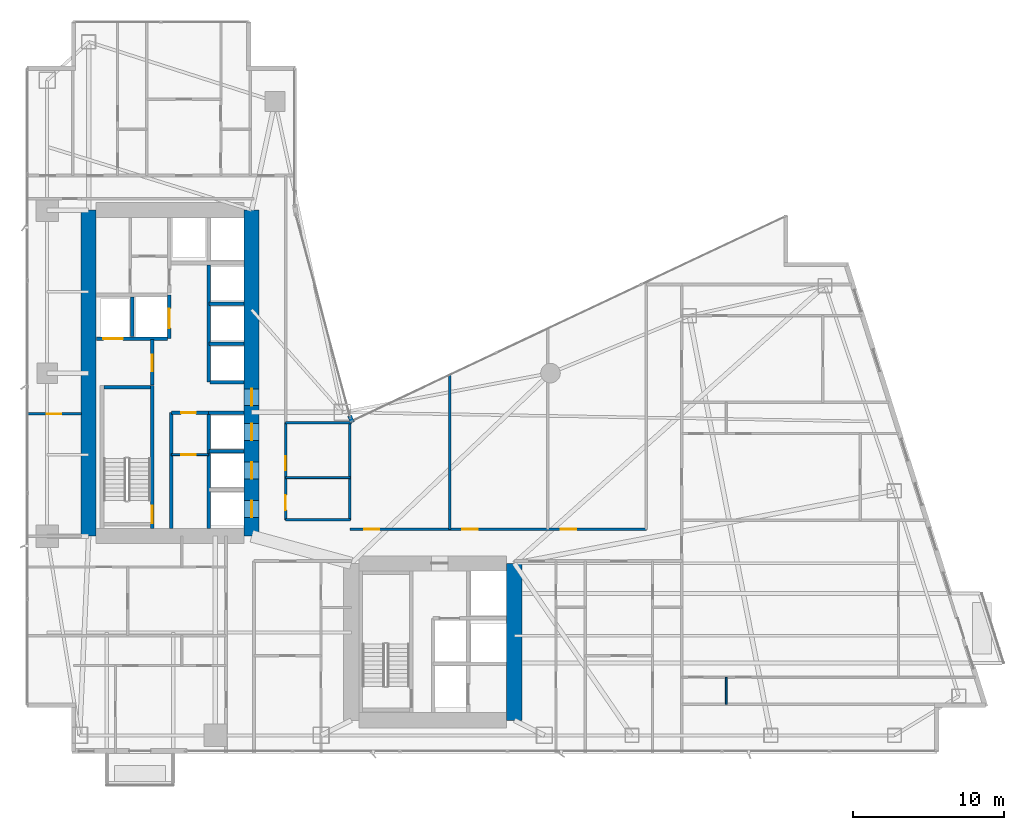
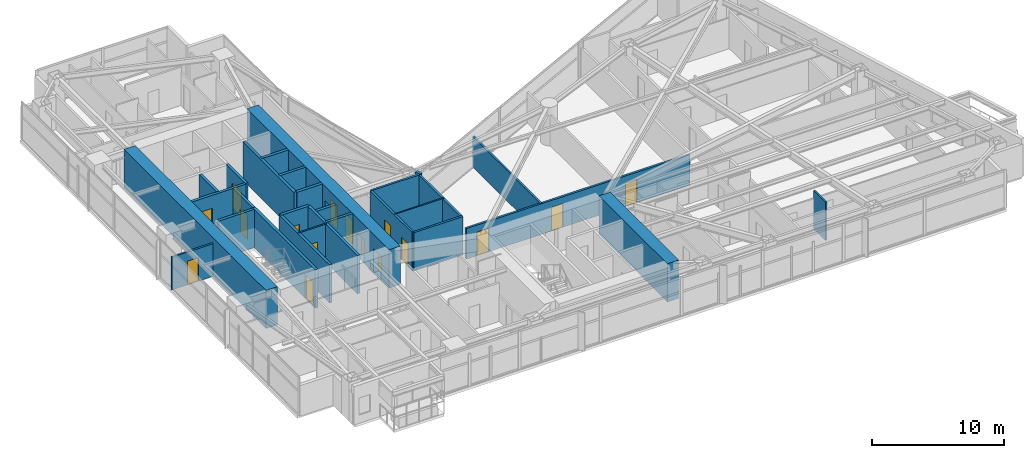
# One storey, part 23 of 30: 29 walls, 16 doors, 16 openings.
"""IFC4 building model written with IfcOpenShell, lengths in metres."""

from ifc_helpers import new_model, si_unit, direction, frame, frame_2d, origin, place, context, subcontext, project, spatial, rectangle, extrude, material, layer, layer_set, type_object, element, fill, save


model = new_model("IFC4")

# Units and contexts
model_context = context("Model", 3, precision=1e-05, world=origin(), true_north=direction((0.0, 1.0)))
body_context = subcontext(model_context, "Body", "Model", "MODEL_VIEW")
ifc_project = project(units=[si_unit("LENGTHUNIT", "METRE"), si_unit("AREAUNIT", "SQUARE_METRE"), si_unit("VOLUMEUNIT", "CUBIC_METRE"), si_unit("PLANEANGLEUNIT", "RADIAN"), si_unit("MASSUNIT", "GRAM", prefix="KILO")], contexts=[model_context])

# Site, building, storey
site_placement = place(None, origin())
site = spatial("IfcSite", under=ifc_project, at=site_placement, CompositionType="ELEMENT")
building_placement = place(site_placement, origin())
building = spatial("IfcBuilding", under=site, at=building_placement, Name="Calvorn Quay Hotel", CompositionType="ELEMENT")
storey_placement = place(building_placement, frame((0.0, 0.0, 73.60009765625)))
storey = spatial("IfcBuildingStorey", under=building, at=storey_placement, Name="L17", CompositionType="ELEMENT", Elevation=73.60009765625)

# Wall
ifc_material_1 = material(Name="Concrete C60", Category="concrete")
ifc_layer_1 = layer(ifc_material_1, 1.0)
ifc_layer_set_1 = layer_set([ifc_layer_1], Name="WL-CORE-1000")
wall_type_1 = type_object("IfcWallType", Name="WL-CORE-1000", PredefinedType="SHEAR", material=ifc_layer_set_1)
wall_1_placement = place(storey_placement, frame((4.199951171875, 16.800048828125, 0.0), z_axis=(0.0, 0.0, 1.0), x_axis=(0.0, 1.0, 0.0)))
element("IfcWall", 1, at=wall_1_placement, inside=storey, type_object=wall_type_1, Name="West Core Shear Wall W (L17)", PredefinedType="SHEAR", context=body_context, shape_type="SweptSolid", body=[
    extrude(rectangle(XDim=21.599853515625, YDim=1.0, at=frame_2d((10.7998046875, 0.0))), origin(), (0.0, 0.0, 1.0), 3.559814453125),
])

# Wall, openings, doors
wall_2_placement = place(storey_placement, frame((15.0, 16.800048828125, 0.0), z_axis=(0.0, 0.0, 1.0), x_axis=(0.0, 1.0, 0.0)))
wall_2 = element("IfcWall", 2, at=wall_2_placement, inside=storey, type_object=wall_type_1, Name="West Core Shear Wall E (L17)", PredefinedType="SHEAR", context=body_context, shape_type="SweptSolid", body=[
    extrude(rectangle(XDim=21.599853515625, YDim=1.0, at=frame_2d((10.7998046875, 0.0))), origin(), (0.0, 0.0, 1.0), 3.559814453125),
])
opening_1_placement = place(wall_2_placement, frame((8.64990234375, 0.0, 0.0)))
opening_1 = element("IfcOpeningElement", 3, at=opening_1_placement, cuts=wall_2, Name="Opening D-L17-CW1", PredefinedType="OPENING", context=body_context, shape_type="SweptSolid", body=[
    extrude(rectangle(XDim=1.10009765625, YDim=2.199951171875, at=frame_2d((0.550048828125, 1.10009765625))), frame((0.0, 0.510009765625, 0.0), z_axis=(0.0, -1.0, 0.0), x_axis=(1.0, 0.0, 0.0)), (0.0, 0.0, 1.0), 1.02001953125),
])
opening_2_placement = place(wall_2_placement, frame((1.25, 0.0, 0.0)))
opening_2 = element("IfcOpeningElement", 4, at=opening_2_placement, cuts=wall_2, Name="Opening LD-L17-L1", PredefinedType="OPENING", context=body_context, shape_type="SweptSolid", body=[
    extrude(rectangle(XDim=1.10009765625, YDim=2.199951171875, at=frame_2d((0.550048828125, 1.10009765625))), frame((0.0, 0.510009765625, 0.0), z_axis=(0.0, -1.0, 0.0), x_axis=(1.0, 0.0, 0.0)), (0.0, 0.0, 1.0), 1.02001953125),
])
opening_3_placement = place(wall_2_placement, frame((3.800048828125, 0.0, 0.0)))
opening_3 = element("IfcOpeningElement", 5, at=opening_3_placement, cuts=wall_2, Name="Opening LD-L17-L2", PredefinedType="OPENING", context=body_context, shape_type="SweptSolid", body=[
    extrude(rectangle(XDim=1.10009765625, YDim=2.199951171875, at=frame_2d((0.550048828125, 1.10009765625))), frame((0.0, 0.510009765625, 0.0), z_axis=(0.0, -1.0, 0.0), x_axis=(1.0, 0.0, 0.0)), (0.0, 0.0, 1.0), 1.02001953125),
])
opening_4_placement = place(wall_2_placement, frame((6.35009765625, 0.0, 0.0)))
opening_4 = element("IfcOpeningElement", 6, at=opening_4_placement, cuts=wall_2, Name="Opening LD-L17-L3", PredefinedType="OPENING", context=body_context, shape_type="SweptSolid", body=[
    extrude(rectangle(XDim=1.10009765625, YDim=2.199951171875, at=frame_2d((0.550048828125, 1.10009765625))), frame((0.0, 0.510009765625, 0.0), z_axis=(0.0, -1.0, 0.0), x_axis=(1.0, 0.0, 0.0)), (0.0, 0.0, 1.0), 1.02001953125),
])
ifc_material_2 = material(Name="Smoke-Sealed Steel Class A Fire Door", Category="steel")
door_type_1 = type_object("IfcDoorType", Name="DR-FFLOBBY-1100", OperationType="NOTDEFINED", PredefinedType="DOOR", material=ifc_material_2)
door_1_placement = place(opening_1_placement, origin())
door_1 = element("IfcDoor", 7, at=door_1_placement, inside=storey, type_object=door_type_1, Name="West Core Vestibule Fire Door (L17)", OperationType="SINGLE_SWING_RIGHT", OverallHeight=2.199951171875, OverallWidth=1.10009765625, PredefinedType="DOOR", context=body_context, shape_type="SweptSolid", body=[
    extrude(rectangle(XDim=1.10009765625, YDim=2.199951171875, at=frame_2d((0.550048828125, 1.10009765625))), frame((0.0, 0.02490234375, 0.0), z_axis=(0.0, -1.0, 0.0), x_axis=(1.0, 0.0, 0.0)), (0.0, 0.0, 1.0), 0.050048828125),
])
fill(opening_1, door_1)
ifc_material_3 = material(Name="Brushed Stainless Steel Sliding Lift Landing Door", Category="steel")
door_type_2 = type_object("IfcDoorType", Name="DR-LIFT-PASS-1100", OperationType="NOTDEFINED", PredefinedType="DOOR", material=ifc_material_3)
door_2_placement = place(opening_2_placement, origin())
door_2 = element("IfcDoor", 8, at=door_2_placement, inside=storey, type_object=door_type_2, Name="Low-Rise Lift PL-L1 Landing Door (L17)", OperationType="DOUBLE_DOOR_SLIDING", OverallHeight=2.199951171875, OverallWidth=1.10009765625, PredefinedType="DOOR", context=body_context, shape_type="SweptSolid", body=[
    extrude(rectangle(XDim=1.10009765625, YDim=2.199951171875, at=frame_2d((0.550048828125, 1.10009765625))), frame((0.0, 0.02490234375, 0.0), z_axis=(0.0, -1.0, 0.0), x_axis=(1.0, 0.0, 0.0)), (0.0, 0.0, 1.0), 0.050048828125),
])
fill(opening_2, door_2)
door_3_placement = place(opening_3_placement, origin())
door_3 = element("IfcDoor", 9, at=door_3_placement, inside=storey, type_object=door_type_2, Name="Low-Rise Lift PL-L2 Landing Door (L17)", OperationType="DOUBLE_DOOR_SLIDING", OverallHeight=2.199951171875, OverallWidth=1.10009765625, PredefinedType="DOOR", context=body_context, shape_type="SweptSolid", body=[
    extrude(rectangle(XDim=1.10009765625, YDim=2.199951171875, at=frame_2d((0.550048828125, 1.10009765625))), frame((0.0, 0.02490234375, 0.0), z_axis=(0.0, -1.0, 0.0), x_axis=(1.0, 0.0, 0.0)), (0.0, 0.0, 1.0), 0.050048828125),
])
fill(opening_3, door_3)
door_4_placement = place(opening_4_placement, origin())
door_4 = element("IfcDoor", 10, at=door_4_placement, inside=storey, type_object=door_type_2, Name="Low-Rise Lift PL-L3 Landing Door (L17)", OperationType="DOUBLE_DOOR_SLIDING", OverallHeight=2.199951171875, OverallWidth=1.10009765625, PredefinedType="DOOR", context=body_context, shape_type="SweptSolid", body=[
    extrude(rectangle(XDim=1.10009765625, YDim=2.199951171875, at=frame_2d((0.550048828125, 1.10009765625))), frame((0.0, 0.02490234375, 0.0), z_axis=(0.0, -1.0, 0.0), x_axis=(1.0, 0.0, 0.0)), (0.0, 0.0, 1.0), 0.050048828125),
])
fill(opening_4, door_4)

# Walls
wall_3_placement = place(storey_placement, frame((32.39990234375, 4.60009765625, 0.0), z_axis=(0.0, 0.0, 1.0), x_axis=(0.0, 1.0, 0.0)))
element("IfcWall", 11, at=wall_3_placement, inside=storey, type_object=wall_type_1, Name="East Core Shear Wall E (L17)", PredefinedType="SHEAR", context=body_context, shape_type="SweptSolid", body=[
    extrude(rectangle(XDim=10.39990234375, YDim=1.0, at=frame_2d((5.199951171875, 0.0))), origin(), (0.0, 0.0, 1.0), 3.559814453125),
])
ifc_material_4 = material(Name="Acoustic Fireboard Steel-Stud Partition", Category="steel")
ifc_layer_2 = layer(ifc_material_4, 0.179931640625)
ifc_layer_set_2 = layer_set([ifc_layer_2], Name="WL-CORR-FIRE-180")
wall_type_2 = type_object("IfcWallType", Name="WL-CORR-FIRE-180", PredefinedType="PARTITIONING", material=ifc_layer_set_2)
wall_4_placement = place(storey_placement, frame((17.25, 17.8798828125, 0.0), z_axis=(0.0, 0.0, 1.0), x_axis=(1.0, 0.0, 0.0)))
element("IfcWall", 12, at=wall_4_placement, inside=storey, type_object=wall_type_2, Name="Partition Wall L17-WL-HK-S", PredefinedType="PARTITIONING", context=body_context, shape_type="SweptSolid", body=[
    extrude(rectangle(XDim=4.300048828125, YDim=0.179931640625, at=frame_2d((2.14990234375, 0.0))), origin(), (0.0, 0.0, 1.0), 3.559814453125),
])
wall_5_placement = place(storey_placement, frame((17.25, 24.320068359375, 0.0), z_axis=(0.0, 0.0, 1.0), x_axis=(1.0, 0.0, 0.0)))
element("IfcWall", 13, at=wall_5_placement, inside=storey, type_object=wall_type_2, Name="Partition Wall L17-WL-HK-N", PredefinedType="PARTITIONING", context=body_context, shape_type="SweptSolid", body=[
    extrude(rectangle(XDim=4.35009765625, YDim=0.179931640625, at=frame_2d((2.175048828125, 0.0))), origin(), (0.0, 0.0, 1.0), 3.559814453125),
])
wall_6_placement = place(storey_placement, frame((21.5, 17.8798828125, 0.0), z_axis=(0.0, 0.0, 1.0), x_axis=(0.0, 1.0, 0.0)))
element("IfcWall", 14, at=wall_6_placement, inside=storey, type_object=wall_type_2, Name="Partition Wall L17-WL-HK-E", PredefinedType="PARTITIONING", context=body_context, shape_type="SweptSolid", body=[
    extrude(rectangle(XDim=6.440185546875, YDim=0.179931640625, at=frame_2d((3.22021484375, 0.0))), origin(), (0.0, 0.0, 1.0), 3.559814453125),
])

# Wall, openings, doors
wall_7_placement = place(storey_placement, frame((17.25, 17.8798828125, 0.0), z_axis=(0.0, 0.0, 1.0), x_axis=(0.0, 1.0, 0.0)))
wall_7 = element("IfcWall", 15, at=wall_7_placement, inside=storey, type_object=wall_type_2, Name="Partition Wall L17-WL-HK-W", PredefinedType="PARTITIONING", context=body_context, shape_type="SweptSolid", body=[
    extrude(rectangle(XDim=6.440185546875, YDim=0.179931640625, at=frame_2d((3.22021484375, 0.0))), origin(), (0.0, 0.0, 1.0), 3.559814453125),
])
opening_5_placement = place(wall_7_placement, frame((0.64990234375, 0.0, 0.0)))
opening_5 = element("IfcOpeningElement", 16, at=opening_5_placement, cuts=wall_7, Name="Opening D-L17-HK", PredefinedType="OPENING", context=body_context, shape_type="SweptSolid", body=[
    extrude(rectangle(XDim=0.97998046875, YDim=2.14990234375, at=frame_2d((0.489990234375, 1.074951171875))), frame((0.0, 0.099853515625, 0.0), z_axis=(0.0, -1.0, 0.0), x_axis=(1.0, 0.0, 0.0)), (0.0, 0.0, 1.0), 0.199951171875),
])
opening_6_placement = place(wall_7_placement, frame((3.27001953125, 0.0, 0.0)))
opening_6 = element("IfcOpeningElement", 17, at=opening_6_placement, cuts=wall_7, Name="Opening D-L17-NCP", PredefinedType="OPENING", context=body_context, shape_type="SweptSolid", body=[
    extrude(rectangle(XDim=0.9599609375, YDim=2.199951171875, at=frame_2d((0.47998046875, 1.10009765625))), frame((0.0, 0.099853515625, 0.0), z_axis=(0.0, -1.0, 0.0), x_axis=(1.0, 0.0, 0.0)), (0.0, 0.0, 1.0), 0.199951171875),
])
ifc_material_5 = material(Name="Painted Steel Housekeeping/Riser Fire Door", Category="steel")
door_type_3 = type_object("IfcDoorType", Name="DR-SERVICE-980", OperationType="NOTDEFINED", PredefinedType="DOOR", material=ifc_material_5)
door_5_placement = place(opening_5_placement, origin())
door_5 = element("IfcDoor", 18, at=door_5_placement, inside=storey, type_object=door_type_3, Name="Floor Housekeeping Door (L17)", OperationType="SINGLE_SWING_LEFT", OverallHeight=2.14990234375, OverallWidth=0.97998046875, PredefinedType="DOOR", context=body_context, shape_type="SweptSolid", body=[
    extrude(rectangle(XDim=0.97998046875, YDim=2.14990234375, at=frame_2d((0.489990234375, 1.074951171875))), frame((0.0, 0.02490234375, 0.0), z_axis=(0.0, -1.0, 0.0), x_axis=(1.0, 0.0, 0.0)), (0.0, 0.0, 1.0), 0.050048828125),
])
fill(opening_5, door_5)
ifc_material_6 = material(Name="Solid Timber Internal Suite Door", Category="wood")
door_type_4 = type_object("IfcDoorType", Name="DR-SUITE-INT-960", OperationType="NOTDEFINED", PredefinedType="DOOR", material=ifc_material_6)
door_6_placement = place(opening_6_placement, origin())
door_6 = element("IfcDoor", 19, at=door_6_placement, inside=storey, type_object=door_type_4, Name="Reading Alcove Door (L17)", OperationType="SINGLE_SWING_RIGHT", OverallHeight=2.199951171875, OverallWidth=0.9599609375, PredefinedType="DOOR", context=body_context, shape_type="SweptSolid", body=[
    extrude(rectangle(XDim=0.9599609375, YDim=2.199951171875, at=frame_2d((0.47998046875, 1.10009765625))), frame((0.0, 0.02490234375, 0.0), z_axis=(0.0, -1.0, 0.0), x_axis=(1.0, 0.0, 0.0)), (0.0, 0.0, 1.0), 0.050048828125),
])
fill(opening_6, door_6)

wall_8_placement = place(storey_placement, frame((21.5, 17.25, 0.0), z_axis=(0.0, 0.0, 1.0), x_axis=(1.0, 0.0, 0.0)))
wall_8 = element("IfcWall", 20, at=wall_8_placement, inside=storey, type_object=wall_type_2, Name="Partition Wall L17-WL-CORR-NE-N", PredefinedType="PARTITIONING", context=body_context, shape_type="SweptSolid", body=[
    extrude(rectangle(XDim=19.64990234375, YDim=0.179931640625, at=frame_2d((9.824951171875, 0.0))), origin(), (0.0, 0.0, 1.0), 2.83984375),
])
opening_7_placement = place(wall_8_placement, frame((0.949951171875, 0.0, 0.0)))
opening_7 = element("IfcOpeningElement", 21, at=opening_7_placement, cuts=wall_8, Name="Opening D-L17-NS1", PredefinedType="OPENING", context=body_context, shape_type="SweptSolid", body=[
    extrude(rectangle(XDim=1.02001953125, YDim=2.199951171875, at=frame_2d((0.510009765625, 1.10009765625))), frame((0.0, 0.099853515625, 0.0), z_axis=(0.0, -1.0, 0.0), x_axis=(1.0, 0.0, 0.0)), (0.0, 0.0, 1.0), 0.199951171875),
])
opening_8_placement = place(wall_8_placement, frame((7.469970703125, 0.0, 0.0)))
opening_8 = element("IfcOpeningElement", 22, at=opening_8_placement, cuts=wall_8, Name="Opening D-L17-NS2", PredefinedType="OPENING", context=body_context, shape_type="SweptSolid", body=[
    extrude(rectangle(XDim=1.02001953125, YDim=2.199951171875, at=frame_2d((0.510009765625, 1.10009765625))), frame((0.0, 0.099853515625, 0.0), z_axis=(0.0, -1.0, 0.0), x_axis=(1.0, 0.0, 0.0)), (0.0, 0.0, 1.0), 0.199951171875),
])
opening_9_placement = place(wall_8_placement, frame((13.97998046875, 0.0, 0.0)))
opening_9 = element("IfcOpeningElement", 23, at=opening_9_placement, cuts=wall_8, Name="Opening D-L17-NS3", PredefinedType="OPENING", context=body_context, shape_type="SweptSolid", body=[
    extrude(rectangle(XDim=1.02001953125, YDim=2.199951171875, at=frame_2d((0.510009765625, 1.10009765625))), frame((0.0, 0.099853515625, 0.0), z_axis=(0.0, -1.0, 0.0), x_axis=(1.0, 0.0, 0.0)), (0.0, 0.0, 1.0), 0.199951171875),
])
ifc_material_7 = material(Name="Solid-Core Walnut Veneer Hotel Fire Door")
door_type_5 = type_object("IfcDoorType", Name="DR-GUEST-ENTRY-1020", OperationType="NOTDEFINED", PredefinedType="DOOR", material=ifc_material_7)
door_7_placement = place(opening_7_placement, origin())
door_7 = element("IfcDoor", 24, at=door_7_placement, inside=storey, type_object=door_type_5, Name="Conservatory Salon Door 1 (L17)", OperationType="SINGLE_SWING_RIGHT", OverallHeight=2.199951171875, OverallWidth=1.02001953125, PredefinedType="DOOR", context=body_context, shape_type="SweptSolid", body=[
    extrude(rectangle(XDim=1.02001953125, YDim=2.199951171875, at=frame_2d((0.510009765625, 1.10009765625))), frame((0.0, 0.02490234375, 0.0), z_axis=(0.0, -1.0, 0.0), x_axis=(1.0, 0.0, 0.0)), (0.0, 0.0, 1.0), 0.050048828125),
])
fill(opening_7, door_7)
door_8_placement = place(opening_8_placement, origin())
door_8 = element("IfcDoor", 25, at=door_8_placement, inside=storey, type_object=door_type_5, Name="Conservatory Salon Door 2 (L17)", OperationType="SINGLE_SWING_LEFT", OverallHeight=2.199951171875, OverallWidth=1.02001953125, PredefinedType="DOOR", context=body_context, shape_type="SweptSolid", body=[
    extrude(rectangle(XDim=1.02001953125, YDim=2.199951171875, at=frame_2d((0.510009765625, 1.10009765625))), frame((0.0, 0.02490234375, 0.0), z_axis=(0.0, -1.0, 0.0), x_axis=(1.0, 0.0, 0.0)), (0.0, 0.0, 1.0), 0.050048828125),
])
fill(opening_8, door_8)
door_9_placement = place(opening_9_placement, origin())
door_9 = element("IfcDoor", 26, at=door_9_placement, inside=storey, type_object=door_type_5, Name="Conservatory Salon Door 3 (L17)", OperationType="SINGLE_SWING_RIGHT", OverallHeight=2.199951171875, OverallWidth=1.02001953125, PredefinedType="DOOR", context=body_context, shape_type="SweptSolid", body=[
    extrude(rectangle(XDim=1.02001953125, YDim=2.199951171875, at=frame_2d((0.510009765625, 1.10009765625))), frame((0.0, 0.02490234375, 0.0), z_axis=(0.0, -1.0, 0.0), x_axis=(1.0, 0.0, 0.0)), (0.0, 0.0, 1.0), 0.050048828125),
])
fill(opening_9, door_9)

# Wall, opening, door
ifc_material_8 = material(Name="Moisture-Resistant Tile-Backed Partition")
ifc_layer_3 = layer(ifc_material_8, 0.125)
ifc_layer_set_3 = layer_set([ifc_layer_3], Name="WL-ENSUITE-125")
wall_type_3 = type_object("IfcWallType", Name="WL-ENSUITE-125", PredefinedType="PARTITIONING", material=ifc_layer_set_3)
wall_9_placement = place(storey_placement, frame((9.679931640625, 22.199951171875, 0.0), z_axis=(0.0, 0.0, 1.0), x_axis=(1.0, 0.0, 0.0)))
wall_9 = element("IfcWall", 27, at=wall_9_placement, inside=storey, type_object=wall_type_3, Name="Partition Wall L17-WL-CWW-SER-V", PredefinedType="PARTITIONING", context=body_context, shape_type="SweptSolid", body=[
    extrude(rectangle(XDim=2.469970703125, YDim=0.125, at=frame_2d((1.23486328125, 0.0))), origin(), (0.0, 0.0, 1.0), 3.559814453125),
])
opening_10_placement = place(wall_9_placement, frame((0.64990234375, 0.0, 0.0)))
opening_10 = element("IfcOpeningElement", 28, at=opening_10_placement, cuts=wall_9, Name="Opening D-L17-CSV", PredefinedType="OPENING", context=body_context, shape_type="SweptSolid", body=[
    extrude(rectangle(XDim=0.97998046875, YDim=2.14990234375, at=frame_2d((0.489990234375, 1.074951171875))), frame((0.0, 0.072509765625, 0.0), z_axis=(0.0, -1.0, 0.0), x_axis=(1.0, 0.0, 0.0)), (0.0, 0.0, 1.0), 0.14501953125),
])
door_10_placement = place(opening_10_placement, origin())
door_10 = element("IfcDoor", 29, at=door_10_placement, inside=storey, type_object=door_type_3, Name="Core Linen Closet Door (L17)", OperationType="SINGLE_SWING_RIGHT", OverallHeight=2.14990234375, OverallWidth=0.97998046875, PredefinedType="DOOR", context=body_context, shape_type="SweptSolid", body=[
    extrude(rectangle(XDim=0.97998046875, YDim=2.14990234375, at=frame_2d((0.489990234375, 1.074951171875))), frame((0.0, 0.02490234375, 0.0), z_axis=(0.0, -1.0, 0.0), x_axis=(1.0, 0.0, 0.0)), (0.0, 0.0, 1.0), 0.050048828125),
])
fill(opening_10, door_10)

# Walls
wall_10_placement = place(storey_placement, frame((17.25, 20.679931640625, 0.0), z_axis=(0.0, 0.0, 1.0), x_axis=(1.0, 0.0, 0.0)))
element("IfcWall", 30, at=wall_10_placement, inside=storey, type_object=wall_type_3, Name="Partition Wall L17-WL-HK-M", PredefinedType="PARTITIONING", context=body_context, shape_type="SweptSolid", body=[
    extrude(rectangle(XDim=4.300048828125, YDim=0.125, at=frame_2d((2.14990234375, 0.0))), origin(), (0.0, 0.0, 1.0), 3.559814453125),
])
wall_11_placement = place(storey_placement, frame((46.449951171875, 5.659912109375, 0.0), z_axis=(0.0, 0.0, 1.0), x_axis=(0.0, 1.0, 0.0)))
element("IfcWall", 31, at=wall_11_placement, inside=storey, type_object=wall_type_3, Name="Partition Wall L17-WL-U08-BDV", PredefinedType="PARTITIONING", context=body_context, shape_type="SweptSolid", body=[
    extrude(rectangle(XDim=1.7900390625, YDim=0.125, at=frame_2d((0.89501953125, 0.0))), origin(), (0.0, 0.0, 1.0), 3.559814453125),
])
ifc_material_9 = material(Name="Concrete C40", Category="concrete")
ifc_layer_4 = layer(ifc_material_9, 0.320068359375)
ifc_layer_set_4 = layer_set([ifc_layer_4], Name="WL-EXT-SPANDREL-320")
wall_type_4 = type_object("IfcWallType", Name="WL-EXT-SPANDREL-320", PredefinedType="SOLIDWALL", material=ifc_layer_set_4)
wall_12_placement = place(storey_placement, frame((21.679931640625, 24.340087890625, 0.0), z_axis=(0.0, 0.0, 1.0), x_axis=(-0.40758134973, 0.913168901875, 0.0)))
element("IfcWall", 32, at=wall_12_placement, inside=storey, type_object=wall_type_4, Name="Inner Court Corner Pier L17-ICJ1", PredefinedType="SOLIDWALL", context=body_context, shape_type="SweptSolid", body=[
    extrude(rectangle(XDim=0.470703125, YDim=0.280029296875, at=frame_2d((0.2353515625, 0.0))), origin(), (0.0, 0.0, 1.0), 3.559814453125),
])

# Wall, opening, door
ifc_material_10 = material(Name="Double-Stud Acoustic Gypsum Partition")
ifc_layer_5 = layer(ifc_material_10, 0.159912109375)
ifc_layer_set_5 = layer_set([ifc_layer_5], Name="WL-INTERSUITE-160")
wall_type_5 = type_object("IfcWallType", Name="WL-INTERSUITE-160", PredefinedType="PARTITIONING", material=ifc_layer_set_5)
wall_13_placement = place(storey_placement, frame((0.080078125, 24.89990234375, 0.0), z_axis=(0.0, 0.0, 1.0), x_axis=(1.0, 0.0, 0.0)))
wall_13 = element("IfcWall", 33, at=wall_13_placement, inside=storey, type_object=wall_type_5, Name="Partition Wall L17-WL-WBAY-DIV", PredefinedType="PARTITIONING", context=body_context, shape_type="SweptSolid", body=[
    extrude(rectangle(XDim=3.64990234375, YDim=0.159912109375, at=frame_2d((1.824951171875, 0.0))), origin(), (0.0, 0.0, 1.0), 3.039794921875),
])
opening_11_placement = place(wall_13_placement, frame((1.35009765625, 0.0, 0.0)))
opening_11 = element("IfcOpeningElement", 34, at=opening_11_placement, cuts=wall_13, Name="Opening D-L17-WBD", PredefinedType="OPENING", context=body_context, shape_type="SweptSolid", body=[
    extrude(rectangle(XDim=0.9599609375, YDim=2.199951171875, at=frame_2d((0.47998046875, 1.10009765625))), frame((0.0, 0.08984375, 0.0), z_axis=(0.0, -1.0, 0.0), x_axis=(1.0, 0.0, 0.0)), (0.0, 0.0, 1.0), 0.179931640625),
])
door_11_placement = place(opening_11_placement, origin())
door_11 = element("IfcDoor", 35, at=door_11_placement, inside=storey, type_object=door_type_4, Name="West Bay Connecting Door (L17)", OperationType="SINGLE_SWING_LEFT", OverallHeight=2.199951171875, OverallWidth=0.9599609375, PredefinedType="DOOR", context=body_context, shape_type="SweptSolid", body=[
    extrude(rectangle(XDim=0.9599609375, YDim=2.199951171875, at=frame_2d((0.47998046875, 1.10009765625))), frame((0.0, 0.02490234375, 0.0), z_axis=(0.0, -1.0, 0.0), x_axis=(1.0, 0.0, 0.0)), (0.0, 0.0, 1.0), 0.050048828125),
])
fill(opening_11, door_11)

# Walls
wall_14_placement = place(storey_placement, frame((28.1201171875, 17.25, 0.0), z_axis=(0.0, 0.0, 1.0), x_axis=(0.0, 1.0, 0.0)))
element("IfcWall", 36, at=wall_14_placement, inside=storey, type_object=wall_type_5, Name="Partition Wall L17-WL-NE-DIV-1", PredefinedType="PARTITIONING", context=body_context, shape_type="SweptSolid", body=[
    extrude(rectangle(XDim=10.31005859375, YDim=0.159912109375, at=frame_2d((5.155029296875, 0.0))), origin(), (0.0, 0.0, 1.0), 2.83984375),
])
ifc_material_11 = material(Name="Autoclaved Aerated Masonry Block", Category="masonry")
ifc_layer_6 = layer(ifc_material_11, 0.219970703125)
ifc_layer_set_6 = layer_set([ifc_layer_6], Name="WL-LOBBY-FIRE-220")
wall_type_6 = type_object("IfcWallType", Name="WL-LOBBY-FIRE-220", PredefinedType="SOLIDWALL", material=ifc_layer_set_6)
wall_15_placement = place(storey_placement, frame((9.679931640625, 17.320068359375, 0.0), z_axis=(0.0, 0.0, 1.0), x_axis=(0.0, 1.0, 0.0)))
element("IfcWall", 37, at=wall_15_placement, inside=storey, type_object=wall_type_6, Name="Partition Wall L17-WL-CWW-STW-HALL-E", PredefinedType="SOLIDWALL", context=body_context, shape_type="SweptSolid", body=[
    extrude(rectangle(XDim=7.679931640625, YDim=0.219970703125, at=frame_2d((3.83984375, 0.0))), origin(), (0.0, 0.0, 1.0), 3.559814453125),
])

# Wall, opening, door
ifc_material_12 = material(Name="Concrete C40", Category="concrete")
ifc_layer_7 = layer(ifc_material_12, 0.239990234375)
ifc_layer_set_7 = layer_set([ifc_layer_7], Name="WL-SHAFT-240")
wall_type_7 = type_object("IfcWallType", Name="WL-SHAFT-240", PredefinedType="SOLIDWALL", material=ifc_layer_set_7)
wall_16_placement = place(storey_placement, frame((8.419921875, 17.300048828125, 0.0), z_axis=(0.0, 0.0, 1.0), x_axis=(0.0, 1.0, 0.0)))
wall_16 = element("IfcWall", 38, at=wall_16_placement, inside=storey, type_object=wall_type_7, Name="Stair STW Shaft Wall E (L17)", PredefinedType="SOLIDWALL", context=body_context, shape_type="SweptSolid", body=[
    extrude(rectangle(XDim=9.489990234375, YDim=0.239990234375, at=frame_2d((4.7451171875, 0.0))), origin(), (0.0, 0.0, 1.0), 3.559814453125),
])
opening_12_placement = place(wall_16_placement, frame((0.35009765625, 0.0, 0.0)))
opening_12 = element("IfcOpeningElement", 39, at=opening_12_placement, cuts=wall_16, Name="Opening D-L17-STW", PredefinedType="OPENING", context=body_context, shape_type="SweptSolid", body=[
    extrude(rectangle(XDim=1.14990234375, YDim=2.199951171875, at=frame_2d((0.574951171875, 1.10009765625))), frame((0.0, 0.1298828125, 0.0), z_axis=(0.0, -1.0, 0.0), x_axis=(1.0, 0.0, 0.0)), (0.0, 0.0, 1.0), 0.260009765625),
])
ifc_material_13 = material(Name="Galvanised Steel Class A Fire Door", Category="steel")
door_type_6 = type_object("IfcDoorType", Name="DR-STAIR-SMOKE-1150", OperationType="NOTDEFINED", PredefinedType="DOOR", material=ifc_material_13)
door_12_placement = place(opening_12_placement, origin())
door_12 = element("IfcDoor", 40, at=door_12_placement, inside=storey, type_object=door_type_6, Name="Stair ST-W Fire Door (L17)", OperationType="SINGLE_SWING_LEFT", OverallHeight=2.199951171875, OverallWidth=1.14990234375, PredefinedType="DOOR", context=body_context, shape_type="SweptSolid", body=[
    extrude(rectangle(XDim=1.14990234375, YDim=2.199951171875, at=frame_2d((0.574951171875, 1.10009765625))), frame((0.0, 0.02490234375, 0.0), z_axis=(0.0, -1.0, 0.0), x_axis=(1.0, 0.0, 0.0)), (0.0, 0.0, 1.0), 0.050048828125),
])
fill(opening_12, door_12)

# Walls
wall_17_placement = place(storey_placement, frame((5.199951171875, 26.669921875, 0.0), z_axis=(0.0, 0.0, 1.0), x_axis=(1.0, 0.0, 0.0)))
element("IfcWall", 41, at=wall_17_placement, inside=storey, type_object=wall_type_7, Name="Stair STW Shaft Wall N (L17)", PredefinedType="SOLIDWALL", context=body_context, shape_type="SweptSolid", body=[
    extrude(rectangle(XDim=3.10009765625, YDim=0.239990234375, at=frame_2d((1.550048828125, 0.0))), origin(), (0.0, 0.0, 1.0), 3.559814453125),
])
for number, where, z_axis, x_axis, name in (
    (42, (12.179931640625, 22.425048828125, 0.0), (0.0, 0.0, 1.0), (1.0, 0.0, 0.0), "Lift Hoistway Divider Wall PLL23 (L17)"),
    (43, (12.179931640625, 29.550048828125, 0.0), (0.0, 0.0, 1.0), (1.0, 0.0, 0.0), "Lift Hoistway Divider Wall PLM12 (L17)"),
    (44, (12.179931640625, 32.199951171875, 0.0), (0.0, 0.0, 1.0), (1.0, 0.0, 0.0), "Lift Hoistway Divider Wall PLM23 (L17)"),
):
    element("IfcWall", number, at=place(storey_placement, frame(where, z_axis=z_axis, x_axis=x_axis)), inside=storey, type_object=wall_type_7, Name=name, PredefinedType="SOLIDWALL", context=body_context, shape_type="SweptSolid", body=[
        extrude(rectangle(XDim=2.320068359375, YDim=0.239990234375, at=frame_2d((1.16015625, 0.0))), origin(), (0.0, 0.0, 1.0), 3.559814453125),
    ])

# Wall, opening, door
wall_18_placement = place(storey_placement, frame((8.419921875, 26.820068359375, 0.0), z_axis=(0.0, 0.0, 1.0), x_axis=(0.0, 1.0, 0.0)))
wall_18 = element("IfcWall", 45, at=wall_18_placement, inside=storey, type_object=wall_type_7, Name="Partition Wall L17-WL-CWW-FFL-E", PredefinedType="SOLIDWALL", context=body_context, shape_type="SweptSolid", body=[
    extrude(rectangle(XDim=3.0, YDim=0.239990234375, at=frame_2d((1.5, 0.0))), origin(), (0.0, 0.0, 1.0), 3.559814453125),
])
opening_13_placement = place(wall_18_placement, frame((0.89990234375, 0.0, 0.0)))
opening_13 = element("IfcOpeningElement", 46, at=opening_13_placement, cuts=wall_18, Name="Opening D-L17-FLW", PredefinedType="OPENING", context=body_context, shape_type="SweptSolid", body=[
    extrude(rectangle(XDim=1.10009765625, YDim=2.199951171875, at=frame_2d((0.550048828125, 1.10009765625))), frame((0.0, 0.1298828125, 0.0), z_axis=(0.0, -1.0, 0.0), x_axis=(1.0, 0.0, 0.0)), (0.0, 0.0, 1.0), 0.260009765625),
])
door_13_placement = place(opening_13_placement, origin())
door_13 = element("IfcDoor", 47, at=door_13_placement, inside=storey, type_object=door_type_1, Name="West Firefighting Lobby Fire Door (L17)", OperationType="SINGLE_SWING_RIGHT", OverallHeight=2.199951171875, OverallWidth=1.10009765625, PredefinedType="DOOR", context=body_context, shape_type="SweptSolid", body=[
    extrude(rectangle(XDim=1.10009765625, YDim=2.199951171875, at=frame_2d((0.550048828125, 1.10009765625))), frame((0.0, 0.02490234375, 0.0), z_axis=(0.0, -1.0, 0.0), x_axis=(1.0, 0.0, 0.0)), (0.0, 0.0, 1.0), 0.050048828125),
])
fill(opening_13, door_13)

wall_19_placement = place(storey_placement, frame((4.719970703125, 29.8798828125, 0.0), z_axis=(0.0, 0.0, 1.0), x_axis=(1.0, 0.0, 0.0)))
wall_19 = element("IfcWall", 48, at=wall_19_placement, inside=storey, type_object=wall_type_7, Name="Partition Wall L17-WL-CWW-FLW-S", PredefinedType="SOLIDWALL", context=body_context, shape_type="SweptSolid", body=[
    extrude(rectangle(XDim=4.699951171875, YDim=0.239990234375, at=frame_2d((2.35009765625, 0.0))), origin(), (0.0, 0.0, 1.0), 3.559814453125),
])
opening_14_placement = place(wall_19_placement, frame((0.449951171875, 0.0, 0.0)))
opening_14 = element("IfcOpeningElement", 49, at=opening_14_placement, cuts=wall_19, Name="Opening LD-L17-FLW1", PredefinedType="OPENING", context=body_context, shape_type="SweptSolid", body=[
    extrude(rectangle(XDim=1.300048828125, YDim=2.35009765625, at=frame_2d((0.64990234375, 1.175048828125))), frame((0.0, 0.1298828125, 0.0), z_axis=(0.0, -1.0, 0.0), x_axis=(1.0, 0.0, 0.0)), (0.0, 0.0, 1.0), 0.260009765625),
])
ifc_material_14 = material(Name="Champagne-Bronze Sliding Express Lift Landing Door")
door_type_7 = type_object("IfcDoorType", Name="DR-LIFT-SHUTTLE-1300", OperationType="NOTDEFINED", PredefinedType="DOOR", material=ifc_material_14)
door_14_placement = place(opening_14_placement, origin())
door_14 = element("IfcDoor", 50, at=door_14_placement, inside=storey, type_object=door_type_7, Name="Firefighting Lift FL-W1 Landing Door (L17)", OperationType="DOUBLE_DOOR_SLIDING", OverallHeight=2.35009765625, OverallWidth=1.300048828125, PredefinedType="DOOR", context=body_context, shape_type="SweptSolid", body=[
    extrude(rectangle(XDim=1.300048828125, YDim=2.35009765625, at=frame_2d((0.64990234375, 1.175048828125))), frame((0.0, 0.02490234375, 0.0), z_axis=(0.0, -1.0, 0.0), x_axis=(1.0, 0.0, 0.0)), (0.0, 0.0, 1.0), 0.050048828125),
])
fill(opening_14, door_14)

# Wall
wall_20_placement = place(storey_placement, frame((7.10009765625, 30.02001953125, 0.0), z_axis=(0.0, 0.0, 1.0), x_axis=(0.0, 1.0, 0.0)))
element("IfcWall", 51, at=wall_20_placement, inside=storey, type_object=wall_type_7, Name="Partition Wall L17-WL-CWW-FLW-DIV", PredefinedType="SOLIDWALL", context=body_context, shape_type="SweptSolid", body=[
    extrude(rectangle(XDim=2.6298828125, YDim=0.239990234375, at=frame_2d((1.31494140625, 0.0))), origin(), (0.0, 0.0, 1.0), 3.559814453125),
])

# Wall, opening, door
wall_21_placement = place(storey_placement, frame((9.5400390625, 29.8798828125, 0.0), z_axis=(0.0, 0.0, 1.0), x_axis=(0.0, 1.0, 0.0)))
wall_21 = element("IfcWall", 52, at=wall_21_placement, inside=storey, type_object=wall_type_7, Name="Partition Wall L17-WL-CWW-SLW-E", PredefinedType="SOLIDWALL", context=body_context, shape_type="SweptSolid", body=[
    extrude(rectangle(XDim=2.900146484375, YDim=0.239990234375, at=frame_2d((1.4501953125, 0.0))), origin(), (0.0, 0.0, 1.0), 3.559814453125),
])
opening_15_placement = place(wall_21_placement, frame((0.699951171875, 0.0, 0.0)))
opening_15 = element("IfcOpeningElement", 53, at=opening_15_placement, cuts=wall_21, Name="Opening LD-L17-SLW1", PredefinedType="OPENING", context=body_context, shape_type="SweptSolid", body=[
    extrude(rectangle(XDim=1.300048828125, YDim=2.35009765625, at=frame_2d((0.64990234375, 1.175048828125))), frame((0.0, 0.1298828125, 0.0), z_axis=(0.0, -1.0, 0.0), x_axis=(1.0, 0.0, 0.0)), (0.0, 0.0, 1.0), 0.260009765625),
])
door_15_placement = place(opening_15_placement, origin())
door_15 = element("IfcDoor", 54, at=door_15_placement, inside=storey, type_object=door_type_7, Name="Service Lift SL-W1 Landing Door (L17)", OperationType="DOUBLE_DOOR_SLIDING", OverallHeight=2.35009765625, OverallWidth=1.300048828125, PredefinedType="DOOR", context=body_context, shape_type="SweptSolid", body=[
    extrude(rectangle(XDim=1.300048828125, YDim=2.35009765625, at=frame_2d((0.64990234375, 1.175048828125))), frame((0.0, 0.02490234375, 0.0), z_axis=(0.0, -1.0, 0.0), x_axis=(1.0, 0.0, 0.0)), (0.0, 0.0, 1.0), 0.050048828125),
])
fill(opening_15, door_15)

# Wall
wall_22_placement = place(storey_placement, frame((12.14990234375, 17.320068359375, 0.0), z_axis=(0.0, 0.0, 1.0), x_axis=(0.0, 1.0, 0.0)))
element("IfcWall", 55, at=wall_22_placement, inside=storey, type_object=wall_type_7, Name="Partition Wall L17-WL-CWW-PLL-W", PredefinedType="SOLIDWALL", context=body_context, shape_type="SweptSolid", body=[
    extrude(rectangle(XDim=7.64990234375, YDim=0.239990234375, at=frame_2d((3.824951171875, 0.0))), origin(), (0.0, 0.0, 1.0), 3.559814453125),
])

# Wall, opening, door
wall_23_placement = place(storey_placement, frame((9.679931640625, 24.969970703125, 0.0), z_axis=(0.0, 0.0, 1.0), x_axis=(1.0, 0.0, 0.0)))
wall_23 = element("IfcWall", 56, at=wall_23_placement, inside=storey, type_object=wall_type_7, Name="Partition Wall L17-WL-CWW-SER-N", PredefinedType="SOLIDWALL", context=body_context, shape_type="SweptSolid", body=[
    extrude(rectangle(XDim=2.469970703125, YDim=0.239990234375, at=frame_2d((1.23486328125, 0.0))), origin(), (0.0, 0.0, 1.0), 3.559814453125),
])
opening_16_placement = place(wall_23_placement, frame((0.64990234375, 0.0, 0.0)))
opening_16 = element("IfcOpeningElement", 57, at=opening_16_placement, cuts=wall_23, Name="Opening D-L17-CSR", PredefinedType="OPENING", context=body_context, shape_type="SweptSolid", body=[
    extrude(rectangle(XDim=0.97998046875, YDim=2.14990234375, at=frame_2d((0.489990234375, 1.074951171875))), frame((0.0, 0.1298828125, 0.0), z_axis=(0.0, -1.0, 0.0), x_axis=(1.0, 0.0, 0.0)), (0.0, 0.0, 1.0), 0.260009765625),
])
door_16_placement = place(opening_16_placement, origin())
door_16 = element("IfcDoor", 58, at=door_16_placement, inside=storey, type_object=door_type_3, Name="Core Service Closet Door (L17)", OperationType="SINGLE_SWING_LEFT", OverallHeight=2.14990234375, OverallWidth=0.97998046875, PredefinedType="DOOR", context=body_context, shape_type="SweptSolid", body=[
    extrude(rectangle(XDim=0.97998046875, YDim=2.14990234375, at=frame_2d((0.489990234375, 1.074951171875))), frame((0.0, 0.02490234375, 0.0), z_axis=(0.0, -1.0, 0.0), x_axis=(1.0, 0.0, 0.0)), (0.0, 0.0, 1.0), 0.050048828125),
])
fill(opening_16, door_16)

# Walls
wall_24_placement = place(storey_placement, frame((12.14990234375, 24.969970703125, 0.0), z_axis=(0.0, 0.0, 1.0), x_axis=(1.0, 0.0, 0.0)))
element("IfcWall", 59, at=wall_24_placement, inside=storey, type_object=wall_type_7, Name="Partition Wall L17-WL-CWW-PLL-SHN", PredefinedType="SOLIDWALL", context=body_context, shape_type="SweptSolid", body=[
    extrude(rectangle(XDim=2.330078125, YDim=0.239990234375, at=frame_2d((1.1650390625, 0.0))), origin(), (0.0, 0.0, 1.0), 2.83984375),
])
wall_25_placement = place(storey_placement, frame((12.25, 27.0, 0.0), z_axis=(0.0, 0.0, 1.0), x_axis=(1.0, 0.0, 0.0)))
element("IfcWall", 60, at=wall_25_placement, inside=storey, type_object=wall_type_7, Name="Partition Wall L17-WL-CWW-PLM-S", PredefinedType="SOLIDWALL", context=body_context, shape_type="SweptSolid", body=[
    extrude(rectangle(XDim=2.22998046875, YDim=0.239990234375, at=frame_2d((1.114990234375, 0.0))), origin(), (0.0, 0.0, 1.0), 3.559814453125),
])
wall_26_placement = place(storey_placement, frame((12.14990234375, 27.0, 0.0), z_axis=(0.0, 0.0, 1.0), x_axis=(0.0, 1.0, 0.0)))
element("IfcWall", 61, at=wall_26_placement, inside=storey, type_object=wall_type_7, Name="Partition Wall L17-WL-CWW-PLM-W", PredefinedType="SOLIDWALL", context=body_context, shape_type="SweptSolid", body=[
    extrude(rectangle(XDim=7.75, YDim=0.239990234375, at=frame_2d((3.875, 0.0))), origin(), (0.0, 0.0, 1.0), 3.559814453125),
])

save(model, "model.ifc")
